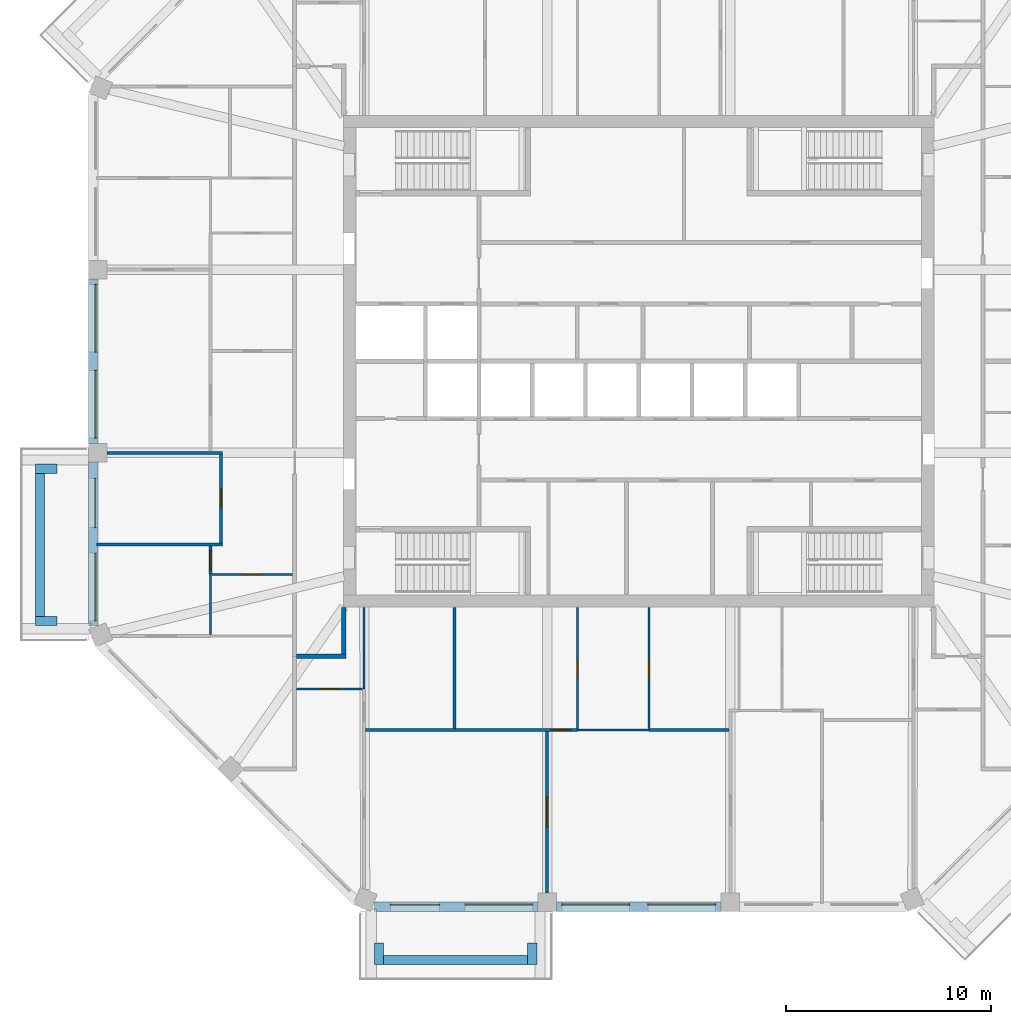
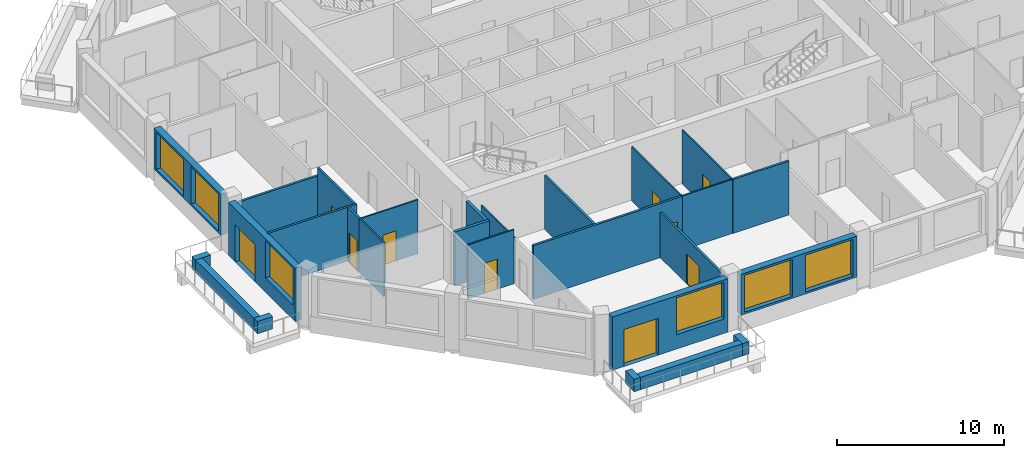
# One storey, part 3 of 11: 27 walls, 10 doors, 6 windows, 16 openings.
"""IFC4 building model written with IfcOpenShell, lengths in metres."""

from ifc_helpers import new_model, si_unit, direction, frame, frame_2d, origin, place, context, subcontext, project, spatial, rectangle, extrude, material, layer, layer_set, type_object, element, fill, save


model = new_model("IFC4")

# Units and contexts
model_context = context("Model", 3, precision=1e-05, world=origin(), true_north=direction((0.0, 1.0)))
body_context = subcontext(model_context, "Body", "Model", "MODEL_VIEW")
ifc_project = project(units=[si_unit("LENGTHUNIT", "METRE"), si_unit("AREAUNIT", "SQUARE_METRE"), si_unit("VOLUMEUNIT", "CUBIC_METRE"), si_unit("PLANEANGLEUNIT", "RADIAN"), si_unit("MASSUNIT", "GRAM", prefix="KILO")], contexts=[model_context])

# Site, building, storey
site_placement = place(None, origin())
site = spatial("IfcSite", under=ifc_project, at=site_placement, CompositionType="ELEMENT")
building_placement = place(site_placement, origin())
building = spatial("IfcBuilding", under=site, at=building_placement, Name="Msitu Wima Residences", CompositionType="ELEMENT")
storey_placement = place(building_placement, frame((0.0, 0.0, 264.300048828125)))
storey = spatial("IfcBuildingStorey", under=building, at=storey_placement, Name="L61", CompositionType="ELEMENT", Elevation=264.300048828125)

# Walls
ifc_material_1 = material(Name="Facing brick")
ifc_layer_1 = layer(ifc_material_1, 0.06494140625, Name="Facing brick")
ifc_material_2 = material(Name="Concrete C40/50", Category="concrete")
ifc_layer_2 = layer(ifc_material_2, 0.156005859375, Name="Concrete C40/50")
ifc_material_3 = material(Name="Waterproofing membrane")
ifc_layer_3 = layer(ifc_material_3, 0.00390625, Name="Waterproofing membrane")
ifc_material_4 = material(Name="Planting soil and planting")
ifc_layer_4 = layer(ifc_material_4, 0.22509765625, Name="Planting soil and planting")
ifc_layer_set_1 = layer_set([ifc_layer_1, ifc_layer_2, ifc_layer_3, ifc_layer_4], Name="Concrete C40/50")
wall_type_1 = type_object("IfcWallType", Name="Balcony planter PLANTER PL450", PredefinedType="USERDEFINED", material=ifc_layer_set_1)
wall_1_placement = place(storey_placement, frame((-29.22509765625, -5.468505859375, 0.0), z_axis=(0.0, 0.0, 1.0), x_axis=(0.0, -1.0, 0.0)))
element("IfcWall", 1, at=wall_1_placement, inside=storey, type_object=wall_type_1, Name="Balcony planter W2 L61", ObjectType="PLANTER", PredefinedType="USERDEFINED", context=body_context, shape_type="SweptSolid", body=[
    extrude(rectangle(XDim=6.9873046875, YDim=0.449951171875, at=frame_2d((3.49365234375, 0.0))), origin(), (0.0, 0.0, 1.0), 0.89990234375),
])
for number, where, z_axis, x_axis, name in (
    (2, (-28.39990234375, -5.24365234375, 0.0), (0.0, 0.0, 1.0), (-1.0, 0.0, 0.0), "Balcony planter W2 L61"),
    (3, (-28.39990234375, -12.680908203125, 0.0), (0.0, 0.0, 1.0), (-1.0, 0.0, 0.0), "Balcony planter W2 L61"),
):
    element("IfcWall", number, at=place(storey_placement, frame(where, z_axis=z_axis, x_axis=x_axis)), inside=storey, type_object=wall_type_1, Name=name, ObjectType="PLANTER", PredefinedType="USERDEFINED", context=body_context, shape_type="SweptSolid", body=[
        extrude(rectangle(XDim=1.050048828125, YDim=0.449951171875, at=frame_2d((0.52490234375, 0.0))), origin(), (0.0, 0.0, 1.0), 0.89990234375),
    ])
wall_2_placement = place(storey_placement, frame((-12.455810546875, -29.22509765625, 0.0), z_axis=(0.0, 0.0, 1.0), x_axis=(1.0, 0.0, 0.0)))
element("IfcWall", 4, at=wall_2_placement, inside=storey, type_object=wall_type_1, Name="Balcony planter S0 L61", ObjectType="PLANTER", PredefinedType="USERDEFINED", context=body_context, shape_type="SweptSolid", body=[
    extrude(rectangle(XDim=7.037109375, YDim=0.449951171875, at=frame_2d((3.5185546875, 0.0))), origin(), (0.0, 0.0, 1.0), 0.89990234375),
])
for number, where, z_axis, x_axis, name in (
    (5, (-12.680908203125, -28.39990234375, 0.0), (0.0, 0.0, 1.0), (0.0, -1.0, 0.0), "Balcony planter S0 L61"),
    (6, (-5.193603515625, -28.39990234375, 0.0), (0.0, 0.0, 1.0), (0.0, -1.0, 0.0), "Balcony planter S0 L61"),
):
    element("IfcWall", number, at=place(storey_placement, frame(where, z_axis=z_axis, x_axis=x_axis)), inside=storey, type_object=wall_type_1, Name=name, ObjectType="PLANTER", PredefinedType="USERDEFINED", context=body_context, shape_type="SweptSolid", body=[
        extrude(rectangle(XDim=1.050048828125, YDim=0.449951171875, at=frame_2d((0.52490234375, 0.0))), origin(), (0.0, 0.0, 1.0), 0.89990234375),
    ])

# Wall, openings, windows
ifc_material_5 = material(Name="Brick (red buff mix)", Category="masonry")
ifc_layer_5 = layer(ifc_material_5, 0.449951171875)
ifc_layer_set_2 = layer_set([ifc_layer_5], Name="Brick (red buff mix)")
wall_type_2 = type_object("IfcWallType", Name="Brick infill wall BW450", PredefinedType="SOLIDWALL", material=ifc_layer_set_2)
wall_3_placement = place(storey_placement, frame((-26.625, 4.0185546875, 0.89990234375), z_axis=(0.0, 0.0, 1.0), x_axis=(0.0, -1.0, 0.0)))
wall_3 = element("IfcWall", 7, at=wall_3_placement, inside=storey, type_object=wall_type_2, Name="Brick infill wall L61 W1", PredefinedType="SOLIDWALL", context=body_context, shape_type="SweptSolid", body=[
    extrude(rectangle(XDim=8.037109375, YDim=0.449951171875, at=frame_2d((4.0185546875, 0.0))), origin(), (0.0, 0.0, 1.0), 3.0),
])
opening_1_placement = place(wall_3_placement, frame((0.2685546875, 0.0, 0.14990234375)))
opening_1 = element("IfcOpeningElement", 8, at=opening_1_placement, cuts=wall_3, Name="Opening W60-62.031", PredefinedType="OPENING", context=body_context, shape_type="SweptSolid", body=[
    extrude(rectangle(XDim=3.300048828125, YDim=2.699951171875, at=frame_2d((1.64990234375, 1.35009765625))), frame((0.0, 0.23486328125, 0.0), z_axis=(0.0, -1.0, 0.0), x_axis=(1.0, 0.0, 0.0)), (0.0, 0.0, 1.0), 0.469970703125),
])
opening_2_placement = place(wall_3_placement, frame((4.46875, 0.0, 0.14990234375)))
opening_2 = element("IfcOpeningElement", 9, at=opening_2_placement, cuts=wall_3, Name="Opening W60-62.032", PredefinedType="OPENING", context=body_context, shape_type="SweptSolid", body=[
    extrude(rectangle(XDim=3.300048828125, YDim=2.699951171875, at=frame_2d((1.64990234375, 1.35009765625))), frame((0.0, 0.23486328125, 0.0), z_axis=(0.0, -1.0, 0.0), x_axis=(1.0, 0.0, 0.0)), (0.0, 0.0, 1.0), 0.469970703125),
])
ifc_material_6 = material(Name="Anodised aluminium, bronze finish, clear low-emissivity double glazing", Category="aluminium")
window_type = type_object("IfcWindowType", Name="Window W3300x2700", PartitioningType="DOUBLE_PANEL_VERTICAL", PredefinedType="WINDOW", material=ifc_material_6)
window_1_placement = place(opening_1_placement, origin())
window_1 = element("IfcWindow", 10, at=window_1_placement, inside=storey, type_object=window_type, Name="Window L61 W1.1", OverallHeight=2.699951171875, OverallWidth=3.300048828125, PartitioningType="SINGLE_PANEL", PredefinedType="WINDOW", context=body_context, shape_type="SweptSolid", body=[
    extrude(rectangle(XDim=3.300048828125, YDim=2.699951171875, at=frame_2d((1.64990234375, 1.35009765625))), frame((0.0, 0.135009765625, 0.0), z_axis=(0.0, -1.0, 0.0), x_axis=(1.0, 0.0, 0.0)), (0.0, 0.0, 1.0), 0.06005859375),
])
fill(opening_1, window_1)
window_2_placement = place(opening_2_placement, origin())
window_2 = element("IfcWindow", 11, at=window_2_placement, inside=storey, type_object=window_type, Name="Window L61 W1.2", OverallHeight=2.699951171875, OverallWidth=3.300048828125, PartitioningType="SINGLE_PANEL", PredefinedType="WINDOW", context=body_context, shape_type="SweptSolid", body=[
    extrude(rectangle(XDim=3.300048828125, YDim=2.699951171875, at=frame_2d((1.64990234375, 1.35009765625))), frame((0.0, 0.135009765625, 0.0), z_axis=(0.0, -1.0, 0.0), x_axis=(1.0, 0.0, 0.0)), (0.0, 0.0, 1.0), 0.06005859375),
])
fill(opening_2, window_2)

# Wall, openings, door, window
wall_4_placement = place(storey_placement, frame((-26.625, -4.918701171875, 0.0), z_axis=(0.0, 0.0, 1.0), x_axis=(0.0, -1.0, 0.0)))
wall_4 = element("IfcWall", 12, at=wall_4_placement, inside=storey, type_object=wall_type_2, Name="Brick infill wall L61 W2", PredefinedType="SOLIDWALL", context=body_context, shape_type="SweptSolid", body=[
    extrude(rectangle(XDim=8.0, YDim=0.449951171875, at=frame_2d((4.0, 0.0))), origin(), (0.0, 0.0, 1.0), 3.89990234375),
])
opening_3_placement = place(wall_4_placement, frame((0.800048828125, 0.0, 0.0)))
opening_3 = element("IfcOpeningElement", 13, at=opening_3_placement, cuts=wall_4, Name="Opening D60-62.007", PredefinedType="OPENING", context=body_context, shape_type="SweptSolid", body=[
    extrude(rectangle(XDim=2.39990234375, YDim=2.699951171875, at=frame_2d((1.199951171875, 1.35009765625))), frame((0.0, 0.23486328125, 0.0), z_axis=(0.0, -1.0, 0.0), x_axis=(1.0, 0.0, 0.0)), (0.0, 0.0, 1.0), 0.469970703125),
])
opening_4_placement = place(wall_4_placement, frame((4.4501953125, 0.0, 1.050048828125)))
opening_4 = element("IfcOpeningElement", 14, at=opening_4_placement, cuts=wall_4, Name="Opening W60-62.033", PredefinedType="OPENING", context=body_context, shape_type="SweptSolid", body=[
    extrude(rectangle(XDim=3.300048828125, YDim=2.699951171875, at=frame_2d((1.64990234375, 1.35009765625))), frame((0.0, 0.23486328125, 0.0), z_axis=(0.0, -1.0, 0.0), x_axis=(1.0, 0.0, 0.0)), (0.0, 0.0, 1.0), 0.469970703125),
])
door_type_1 = type_object("IfcDoorType", Name="Balcony door D2400x2700", OperationType="SLIDING_TO_LEFT", PredefinedType="DOOR", material=ifc_material_6)
door_1_placement = place(opening_3_placement, origin())
door_1 = element("IfcDoor", 15, at=door_1_placement, inside=storey, type_object=door_type_1, Name="Balcony door L61 W2", OperationType="SINGLE_SWING_LEFT", OverallHeight=2.699951171875, OverallWidth=2.39990234375, PredefinedType="DOOR", context=body_context, shape_type="SweptSolid", body=[
    extrude(rectangle(XDim=2.39990234375, YDim=2.699951171875, at=frame_2d((1.199951171875, 1.35009765625))), frame((0.0, 0.1298828125, 0.0), z_axis=(0.0, -1.0, 0.0), x_axis=(1.0, 0.0, 0.0)), (0.0, 0.0, 1.0), 0.050048828125),
])
fill(opening_3, door_1)
window_3_placement = place(opening_4_placement, origin())
window_3 = element("IfcWindow", 16, at=window_3_placement, inside=storey, type_object=window_type, Name="Window L61 W2.2", OverallHeight=2.699951171875, OverallWidth=3.300048828125, PartitioningType="SINGLE_PANEL", PredefinedType="WINDOW", context=body_context, shape_type="SweptSolid", body=[
    extrude(rectangle(XDim=3.300048828125, YDim=2.699951171875, at=frame_2d((1.64990234375, 1.35009765625))), frame((0.0, 0.135009765625, 0.0), z_axis=(0.0, -1.0, 0.0), x_axis=(1.0, 0.0, 0.0)), (0.0, 0.0, 1.0), 0.06005859375),
])
fill(opening_4, window_3)

wall_5_placement = place(storey_placement, frame((-12.918701171875, -26.625, 0.0), z_axis=(0.0, 0.0, 1.0), x_axis=(1.0, 0.0, 0.0)))
wall_5 = element("IfcWall", 17, at=wall_5_placement, inside=storey, type_object=wall_type_2, Name="Brick infill wall L61 S0", PredefinedType="SOLIDWALL", context=body_context, shape_type="SweptSolid", body=[
    extrude(rectangle(XDim=8.0, YDim=0.449951171875, at=frame_2d((4.0, 0.0))), origin(), (0.0, 0.0, 1.0), 3.89990234375),
])
opening_5_placement = place(wall_5_placement, frame((0.800048828125, 0.0, 0.0)))
opening_5 = element("IfcOpeningElement", 18, at=opening_5_placement, cuts=wall_5, Name="Opening D60-62.005", PredefinedType="OPENING", context=body_context, shape_type="SweptSolid", body=[
    extrude(rectangle(XDim=2.39990234375, YDim=2.699951171875, at=frame_2d((1.199951171875, 1.35009765625))), frame((0.0, 0.23486328125, 0.0), z_axis=(0.0, -1.0, 0.0), x_axis=(1.0, 0.0, 0.0)), (0.0, 0.0, 1.0), 0.469970703125),
])
opening_6_placement = place(wall_5_placement, frame((4.4501953125, 0.0, 1.050048828125)))
opening_6 = element("IfcOpeningElement", 19, at=opening_6_placement, cuts=wall_5, Name="Opening W60-62.017", PredefinedType="OPENING", context=body_context, shape_type="SweptSolid", body=[
    extrude(rectangle(XDim=3.300048828125, YDim=2.699951171875, at=frame_2d((1.64990234375, 1.35009765625))), frame((0.0, 0.23486328125, 0.0), z_axis=(0.0, -1.0, 0.0), x_axis=(1.0, 0.0, 0.0)), (0.0, 0.0, 1.0), 0.469970703125),
])
door_2_placement = place(opening_5_placement, origin())
door_2 = element("IfcDoor", 20, at=door_2_placement, inside=storey, type_object=door_type_1, Name="Balcony door L61 S0", OperationType="SINGLE_SWING_LEFT", OverallHeight=2.699951171875, OverallWidth=2.39990234375, PredefinedType="DOOR", context=body_context, shape_type="SweptSolid", body=[
    extrude(rectangle(XDim=2.39990234375, YDim=2.699951171875, at=frame_2d((1.199951171875, 1.35009765625))), frame((0.0, 0.1298828125, 0.0), z_axis=(0.0, -1.0, 0.0), x_axis=(1.0, 0.0, 0.0)), (0.0, 0.0, 1.0), 0.050048828125),
])
fill(opening_5, door_2)
window_4_placement = place(opening_6_placement, origin())
window_4 = element("IfcWindow", 21, at=window_4_placement, inside=storey, type_object=window_type, Name="Window L61 S0.2", OverallHeight=2.699951171875, OverallWidth=3.300048828125, PartitioningType="SINGLE_PANEL", PredefinedType="WINDOW", context=body_context, shape_type="SweptSolid", body=[
    extrude(rectangle(XDim=3.300048828125, YDim=2.699951171875, at=frame_2d((1.64990234375, 1.35009765625))), frame((0.0, 0.135009765625, 0.0), z_axis=(0.0, -1.0, 0.0), x_axis=(1.0, 0.0, 0.0)), (0.0, 0.0, 1.0), 0.06005859375),
])
fill(opening_6, window_4)

# Wall, openings, windows
wall_6_placement = place(storey_placement, frame((-4.0185546875, -26.625, 0.89990234375), z_axis=(0.0, 0.0, 1.0), x_axis=(1.0, 0.0, 0.0)))
wall_6 = element("IfcWall", 22, at=wall_6_placement, inside=storey, type_object=wall_type_2, Name="Brick infill wall L61 S1", PredefinedType="SOLIDWALL", context=body_context, shape_type="SweptSolid", body=[
    extrude(rectangle(XDim=8.037109375, YDim=0.449951171875, at=frame_2d((4.0185546875, 0.0))), origin(), (0.0, 0.0, 1.0), 3.0),
])
opening_7_placement = place(wall_6_placement, frame((0.2685546875, 0.0, 0.14990234375)))
opening_7 = element("IfcOpeningElement", 23, at=opening_7_placement, cuts=wall_6, Name="Opening W60-62.018", PredefinedType="OPENING", context=body_context, shape_type="SweptSolid", body=[
    extrude(rectangle(XDim=3.300048828125, YDim=2.699951171875, at=frame_2d((1.64990234375, 1.35009765625))), frame((0.0, 0.23486328125, 0.0), z_axis=(0.0, -1.0, 0.0), x_axis=(1.0, 0.0, 0.0)), (0.0, 0.0, 1.0), 0.469970703125),
])
opening_8_placement = place(wall_6_placement, frame((4.46875, 0.0, 0.14990234375)))
opening_8 = element("IfcOpeningElement", 24, at=opening_8_placement, cuts=wall_6, Name="Opening W60-62.019", PredefinedType="OPENING", context=body_context, shape_type="SweptSolid", body=[
    extrude(rectangle(XDim=3.300048828125, YDim=2.699951171875, at=frame_2d((1.64990234375, 1.35009765625))), frame((0.0, 0.23486328125, 0.0), z_axis=(0.0, -1.0, 0.0), x_axis=(1.0, 0.0, 0.0)), (0.0, 0.0, 1.0), 0.469970703125),
])
window_5_placement = place(opening_7_placement, origin())
window_5 = element("IfcWindow", 25, at=window_5_placement, inside=storey, type_object=window_type, Name="Window L61 S1.1", OverallHeight=2.699951171875, OverallWidth=3.300048828125, PartitioningType="SINGLE_PANEL", PredefinedType="WINDOW", context=body_context, shape_type="SweptSolid", body=[
    extrude(rectangle(XDim=3.300048828125, YDim=2.699951171875, at=frame_2d((1.64990234375, 1.35009765625))), frame((0.0, 0.135009765625, 0.0), z_axis=(0.0, -1.0, 0.0), x_axis=(1.0, 0.0, 0.0)), (0.0, 0.0, 1.0), 0.06005859375),
])
fill(opening_7, window_5)
window_6_placement = place(opening_8_placement, origin())
window_6 = element("IfcWindow", 26, at=window_6_placement, inside=storey, type_object=window_type, Name="Window L61 S1.2", OverallHeight=2.699951171875, OverallWidth=3.300048828125, PartitioningType="SINGLE_PANEL", PredefinedType="WINDOW", context=body_context, shape_type="SweptSolid", body=[
    extrude(rectangle(XDim=3.300048828125, YDim=2.699951171875, at=frame_2d((1.64990234375, 1.35009765625))), frame((0.0, 0.135009765625, 0.0), z_axis=(0.0, -1.0, 0.0), x_axis=(1.0, 0.0, 0.0)), (0.0, 0.0, 1.0), 0.06005859375),
])
fill(opening_8, window_6)

# Walls
ifc_material_7 = material(Name="Plaster")
ifc_layer_6 = layer(ifc_material_7, 0.011962890625, Name="Plaster")
ifc_material_8 = material(Name="Concrete blockwork", Category="masonry")
ifc_layer_7 = layer(ifc_material_8, 0.176025390625, Name="Concrete blockwork")
ifc_layer_8 = layer(ifc_material_7, 0.011962890625, Name="Plaster")
ifc_layer_set_3 = layer_set([ifc_layer_6, ifc_layer_7, ifc_layer_8], Name="Concrete blockwork")
wall_type_3 = type_object("IfcWallType", Name="Corridor wall FW200", PredefinedType="PARTITIONING", material=ifc_layer_set_3)
wall_7_placement = place(storey_placement, frame((-16.699951171875, -14.39990234375, 0.0), z_axis=(0.0, 0.0, 1.0), x_axis=(1.0, 0.0, 0.0)))
element("IfcWall", 27, at=wall_7_placement, inside=storey, type_object=wall_type_3, Name="Corridor wall", PredefinedType="PARTITIONING", context=body_context, shape_type="SweptSolid", body=[
    extrude(rectangle(XDim=2.39990234375, YDim=0.199951171875, at=frame_2d((1.199951171875, 0.0))), origin(), (0.0, 0.0, 1.0), 3.949951171875),
])
wall_8_placement = place(storey_placement, frame((-14.39990234375, -14.300048828125, 0.0), z_axis=(0.0, 0.0, 1.0), x_axis=(0.0, 1.0, 0.0)))
element("IfcWall", 28, at=wall_8_placement, inside=storey, type_object=wall_type_3, Name="Corridor wall", PredefinedType="PARTITIONING", context=body_context, shape_type="SweptSolid", body=[
    extrude(rectangle(XDim=2.27001953125, YDim=0.199951171875, at=frame_2d((1.135009765625, 0.0))), origin(), (0.0, 0.0, 1.0), 3.949951171875),
])
ifc_layer_9 = layer(ifc_material_7, 0.011962890625, Name="Plaster")
ifc_layer_10 = layer(ifc_material_8, 0.1259765625, Name="Concrete blockwork")
ifc_layer_11 = layer(ifc_material_7, 0.011962890625, Name="Plaster")
ifc_layer_set_4 = layer_set([ifc_layer_9, ifc_layer_10, ifc_layer_11], Name="Concrete blockwork")
wall_type_4 = type_object("IfcWallType", Name="Partition PW150", PredefinedType="PARTITIONING", material=ifc_layer_set_4)
wall_9_placement = place(storey_placement, frame((-26.455078125, -8.937255859375, 0.0), z_axis=(0.0, 0.0, 1.0), x_axis=(1.0, 0.0, 0.0)))
element("IfcWall", 29, at=wall_9_placement, inside=storey, type_object=wall_type_4, Name="Partition", PredefinedType="PARTITIONING", context=body_context, shape_type="SweptSolid", body=[
    extrude(rectangle(XDim=6.130126953125, YDim=0.14990234375, at=frame_2d((3.06494140625, 0.0))), origin(), (0.0, 0.0, 1.0), 3.949951171875),
])
wall_10_placement = place(storey_placement, frame((-25.949951171875, -4.46875, 0.0), z_axis=(0.0, 0.0, 1.0), x_axis=(1.0, 0.0, 0.0)))
element("IfcWall", 30, at=wall_10_placement, inside=storey, type_object=wall_type_4, Name="Partition", PredefinedType="PARTITIONING", context=body_context, shape_type="SweptSolid", body=[
    extrude(rectangle(XDim=5.625, YDim=0.14990234375, at=frame_2d((2.8125, 0.0))), origin(), (0.0, 0.0, 1.0), 3.349853515625),
])

# Wall, opening, door
wall_11_placement = place(storey_placement, frame((-20.89990234375, -10.3798828125, 0.0), z_axis=(0.0, 0.0, 1.0), x_axis=(0.0, 1.0, 0.0)))
wall_11 = element("IfcWall", 31, at=wall_11_placement, inside=storey, type_object=wall_type_4, Name="Partition", PredefinedType="PARTITIONING", context=body_context, shape_type="SweptSolid", body=[
    extrude(rectangle(XDim=1.36767578125, YDim=0.14990234375, at=frame_2d((0.683837890625, 0.0))), origin(), (0.0, 0.0, 1.0), 3.949951171875),
])
opening_9_placement = place(wall_11_placement, frame((0.199951171875, 0.0, 0.0)))
opening_9 = element("IfcOpeningElement", 32, at=opening_9_placement, cuts=wall_11, Name="Opening D60-62.046", PredefinedType="OPENING", context=body_context, shape_type="SweptSolid", body=[
    extrude(rectangle(XDim=0.949951171875, YDim=2.199951171875, at=frame_2d((0.47509765625, 1.10009765625))), frame((0.0, 0.0849609375, 0.0), z_axis=(0.0, -1.0, 0.0), x_axis=(1.0, 0.0, 0.0)), (0.0, 0.0, 1.0), 0.169921875),
])
ifc_material_9 = material(Name="Timber flush door", Category="wood")
door_type_2 = type_object("IfcDoorType", Name="Room door D12 950x2200", OperationType="SINGLE_SWING_LEFT", PredefinedType="DOOR", material=ifc_material_9)
door_3_placement = place(opening_9_placement, origin())
door_3 = element("IfcDoor", 33, at=door_3_placement, inside=storey, type_object=door_type_2, Name="Room door", OperationType="SINGLE_SWING_RIGHT", OverallHeight=2.199951171875, OverallWidth=0.949951171875, PredefinedType="DOOR", context=body_context, shape_type="SweptSolid", body=[
    extrude(rectangle(XDim=0.949951171875, YDim=2.199951171875, at=frame_2d((0.47509765625, 1.10009765625))), frame((0.0, 0.02490234375, 0.0), z_axis=(0.0, -1.0, 0.0), x_axis=(1.0, 0.0, 0.0)), (0.0, 0.0, 1.0), 0.050048828125),
])
fill(opening_9, door_3)

wall_12_placement = place(storey_placement, frame((-20.39990234375, -8.8623046875, 0.0), z_axis=(0.0, 0.0, 1.0), x_axis=(0.0, 1.0, 0.0)))
wall_12 = element("IfcWall", 34, at=wall_12_placement, inside=storey, type_object=wall_type_4, Name="Partition", PredefinedType="PARTITIONING", context=body_context, shape_type="SweptSolid", body=[
    extrude(rectangle(XDim=4.318603515625, YDim=0.14990234375, at=frame_2d((2.1591796875, 0.0))), origin(), (0.0, 0.0, 1.0), 3.949951171875),
])
opening_10_placement = place(wall_12_placement, frame((1.699951171875, 0.0, 0.0)))
opening_10 = element("IfcOpeningElement", 35, at=opening_10_placement, cuts=wall_12, Name="Opening D60-62.045", PredefinedType="OPENING", context=body_context, shape_type="SweptSolid", body=[
    extrude(rectangle(XDim=0.949951171875, YDim=2.199951171875, at=frame_2d((0.47509765625, 1.10009765625))), frame((0.0, 0.0849609375, 0.0), z_axis=(0.0, -1.0, 0.0), x_axis=(1.0, 0.0, 0.0)), (0.0, 0.0, 1.0), 0.169921875),
])
door_4_placement = place(opening_10_placement, origin())
door_4 = element("IfcDoor", 36, at=door_4_placement, inside=storey, type_object=door_type_2, Name="Room door", OperationType="SINGLE_SWING_RIGHT", OverallHeight=2.199951171875, OverallWidth=0.949951171875, PredefinedType="DOOR", context=body_context, shape_type="SweptSolid", body=[
    extrude(rectangle(XDim=0.949951171875, YDim=2.199951171875, at=frame_2d((0.47509765625, 1.10009765625))), frame((0.0, 0.02490234375, 0.0), z_axis=(0.0, -1.0, 0.0), x_axis=(1.0, 0.0, 0.0)), (0.0, 0.0, 1.0), 0.050048828125),
])
fill(opening_10, door_4)

wall_13_placement = place(storey_placement, frame((-13.330810546875, -18.0, 0.0), z_axis=(0.0, 0.0, 1.0), x_axis=(1.0, 0.0, 0.0)))
wall_13 = element("IfcWall", 37, at=wall_13_placement, inside=storey, type_object=wall_type_4, Name="Partition", PredefinedType="PARTITIONING", context=body_context, shape_type="SweptSolid", body=[
    extrude(rectangle(XDim=10.330810546875, YDim=0.14990234375, at=frame_2d((5.16552734375, 0.0))), origin(), (0.0, 0.0, 1.0), 3.949951171875),
])
opening_11_placement = place(wall_13_placement, frame((9.050048828125, 0.0, 0.0)))
opening_11 = element("IfcOpeningElement", 38, at=opening_11_placement, cuts=wall_13, Name="Opening D60-62.062", PredefinedType="OPENING", context=body_context, shape_type="SweptSolid", body=[
    extrude(rectangle(XDim=0.949951171875, YDim=2.199951171875, at=frame_2d((0.47509765625, 1.10009765625))), frame((0.0, 0.0849609375, 0.0), z_axis=(0.0, -1.0, 0.0), x_axis=(1.0, 0.0, 0.0)), (0.0, 0.0, 1.0), 0.169921875),
])
door_5_placement = place(opening_11_placement, origin())
door_5 = element("IfcDoor", 39, at=door_5_placement, inside=storey, type_object=door_type_2, Name="Room door", OperationType="SINGLE_SWING_RIGHT", OverallHeight=2.199951171875, OverallWidth=0.949951171875, PredefinedType="DOOR", context=body_context, shape_type="SweptSolid", body=[
    extrude(rectangle(XDim=0.949951171875, YDim=2.199951171875, at=frame_2d((0.47509765625, 1.10009765625))), frame((0.0, 0.02490234375, 0.0), z_axis=(0.0, -1.0, 0.0), x_axis=(1.0, 0.0, 0.0)), (0.0, 0.0, 1.0), 0.050048828125),
])
fill(opening_11, door_5)

# Wall
wall_14_placement = place(storey_placement, frame((-9.0, -17.925048828125, 0.0), z_axis=(0.0, 0.0, 1.0), x_axis=(0.0, 1.0, 0.0)))
element("IfcWall", 40, at=wall_14_placement, inside=storey, type_object=wall_type_4, Name="Partition", PredefinedType="PARTITIONING", context=body_context, shape_type="SweptSolid", body=[
    extrude(rectangle(XDim=5.89501953125, YDim=0.14990234375, at=frame_2d((2.947509765625, 0.0))), origin(), (0.0, 0.0, 1.0), 3.949951171875),
])

# Wall, opening, door
wall_15_placement = place(storey_placement, frame((-4.46875, -25.949951171875, 0.0), z_axis=(0.0, 0.0, 1.0), x_axis=(0.0, 1.0, 0.0)))
wall_15 = element("IfcWall", 41, at=wall_15_placement, inside=storey, type_object=wall_type_4, Name="Partition", PredefinedType="PARTITIONING", context=body_context, shape_type="SweptSolid", body=[
    extrude(rectangle(XDim=7.875, YDim=0.14990234375, at=frame_2d((3.9375, 0.0))), origin(), (0.0, 0.0, 1.0), 3.300048828125),
])
opening_12_placement = place(wall_15_placement, frame((3.199951171875, 0.0, 0.0)))
opening_12 = element("IfcOpeningElement", 42, at=opening_12_placement, cuts=wall_15, Name="Opening D60-62.053", PredefinedType="OPENING", context=body_context, shape_type="SweptSolid", body=[
    extrude(rectangle(XDim=1.5, YDim=2.199951171875, at=frame_2d((0.75, 1.10009765625))), frame((0.0, 0.0849609375, 0.0), z_axis=(0.0, -1.0, 0.0), x_axis=(1.0, 0.0, 0.0)), (0.0, 0.0, 1.0), 0.169921875),
])
ifc_material_10 = material(Name="Timber double door", Category="wood")
door_type_3 = type_object("IfcDoorType", Name="Double door D04 1500x2200", OperationType="DOUBLE_DOOR_SINGLE_SWING", PredefinedType="DOOR", material=ifc_material_10)
door_6_placement = place(opening_12_placement, origin())
door_6 = element("IfcDoor", 43, at=door_6_placement, inside=storey, type_object=door_type_3, Name="Double door", OperationType="DOUBLE_DOOR_SINGLE_SWING", OverallHeight=2.199951171875, OverallWidth=1.5, PredefinedType="DOOR", context=body_context, shape_type="SweptSolid", body=[
    extrude(rectangle(XDim=1.5, YDim=2.199951171875, at=frame_2d((0.75, 1.10009765625))), frame((0.0, 0.02490234375, 0.0), z_axis=(0.0, -1.0, 0.0), x_axis=(1.0, 0.0, 0.0)), (0.0, 0.0, 1.0), 0.050048828125),
])
fill(opening_12, door_6)

# Walls
wall_16_placement = place(storey_placement, frame((0.5, -18.0, 0.0), z_axis=(0.0, 0.0, 1.0), x_axis=(1.0, 0.0, 0.0)))
element("IfcWall", 44, at=wall_16_placement, inside=storey, type_object=wall_type_4, Name="Partition", PredefinedType="PARTITIONING", context=body_context, shape_type="SweptSolid", body=[
    extrude(rectangle(XDim=3.8935546875, YDim=0.14990234375, at=frame_2d((1.94677734375, 0.0))), origin(), (0.0, 0.0, 1.0), 3.949951171875),
])
ifc_material_11 = material(Name="Ceramic tiles")
ifc_layer_12 = layer(ifc_material_11, 0.008056640625, Name="Ceramic tiles")
ifc_material_12 = material(Name="Moisture-resistant board")
ifc_layer_13 = layer(ifc_material_12, 0.012451171875, Name="Moisture-resistant board")
ifc_material_13 = material(Name="Light-gauge stud framing with mineral wool")
ifc_layer_14 = layer(ifc_material_13, 0.06689453125, Name="Light-gauge stud framing with mineral wool")
ifc_layer_15 = layer(ifc_material_12, 0.012451171875, Name="Moisture-resistant board")
ifc_layer_set_5 = layer_set([ifc_layer_12, ifc_layer_13, ifc_layer_14, ifc_layer_15], Name="Light-gauge stud framing with mineral wool")
wall_type_5 = type_object("IfcWallType", Name="Wet wall PW100", PredefinedType="PARTITIONING", material=ifc_layer_set_5)
wall_17_placement = place(storey_placement, frame((-20.89990234375, -13.330810546875, 0.0), z_axis=(0.0, 0.0, 1.0), x_axis=(0.0, 1.0, 0.0)))
element("IfcWall", 45, at=wall_17_placement, inside=storey, type_object=wall_type_5, Name="Wet wall", PredefinedType="PARTITIONING", context=body_context, shape_type="SweptSolid", body=[
    extrude(rectangle(XDim=2.950927734375, YDim=0.10009765625, at=frame_2d((1.4755859375, 0.0))), origin(), (0.0, 0.0, 1.0), 3.949951171875),
])

# Wall, opening, door
wall_18_placement = place(storey_placement, frame((-20.824951171875, -10.39990234375, 0.0), z_axis=(0.0, 0.0, 1.0), x_axis=(1.0, 0.0, 0.0)))
wall_18 = element("IfcWall", 46, at=wall_18_placement, inside=storey, type_object=wall_type_5, Name="Wet wall", PredefinedType="PARTITIONING", context=body_context, shape_type="SweptSolid", body=[
    extrude(rectangle(XDim=3.925048828125, YDim=0.10009765625, at=frame_2d((1.96240234375, 0.0))), origin(), (0.0, 0.0, 1.0), 3.949951171875),
])
opening_13_placement = place(wall_18_placement, frame((1.5, 0.0, 0.0)))
opening_13 = element("IfcOpeningElement", 47, at=opening_13_placement, cuts=wall_18, Name="Opening D60-62.043", PredefinedType="OPENING", context=body_context, shape_type="SweptSolid", body=[
    extrude(rectangle(XDim=0.89990234375, YDim=2.199951171875, at=frame_2d((0.449951171875, 1.10009765625))), frame((0.0, 0.06005859375, 0.0), z_axis=(0.0, -1.0, 0.0), x_axis=(1.0, 0.0, 0.0)), (0.0, 0.0, 1.0), 0.1201171875),
])
ifc_material_14 = material(Name="Timber flush door, moisture resistant", Category="wood")
door_type_4 = type_object("IfcDoorType", Name="Bathroom door D03 900x2200", OperationType="SINGLE_SWING_LEFT", PredefinedType="DOOR", material=ifc_material_14)
door_7_placement = place(opening_13_placement, origin())
door_7 = element("IfcDoor", 48, at=door_7_placement, inside=storey, type_object=door_type_4, Name="Bathroom door", OperationType="SINGLE_SWING_RIGHT", OverallHeight=2.199951171875, OverallWidth=0.89990234375, PredefinedType="DOOR", context=body_context, shape_type="SweptSolid", body=[
    extrude(rectangle(XDim=0.89990234375, YDim=2.199951171875, at=frame_2d((0.449951171875, 1.10009765625))), frame((0.0, 0.02490234375, 0.0), z_axis=(0.0, -1.0, 0.0), x_axis=(1.0, 0.0, 0.0)), (0.0, 0.0, 1.0), 0.050048828125),
])
fill(opening_13, door_7)

wall_19_placement = place(storey_placement, frame((-16.699951171875, -16.0, 0.0), z_axis=(0.0, 0.0, 1.0), x_axis=(1.0, 0.0, 0.0)))
wall_19 = element("IfcWall", 49, at=wall_19_placement, inside=storey, type_object=wall_type_5, Name="Wet wall", PredefinedType="PARTITIONING", context=body_context, shape_type="SweptSolid", body=[
    extrude(rectangle(XDim=3.218994140625, YDim=0.10009765625, at=frame_2d((1.609375, 0.0))), origin(), (0.0, 0.0, 1.0), 3.949951171875),
])
opening_14_placement = place(wall_19_placement, frame((1.14990234375, 0.0, 0.0)))
opening_14 = element("IfcOpeningElement", 50, at=opening_14_placement, cuts=wall_19, Name="Opening D60-62.056", PredefinedType="OPENING", context=body_context, shape_type="SweptSolid", body=[
    extrude(rectangle(XDim=0.89990234375, YDim=2.199951171875, at=frame_2d((0.449951171875, 1.10009765625))), frame((0.0, 0.06005859375, 0.0), z_axis=(0.0, -1.0, 0.0), x_axis=(1.0, 0.0, 0.0)), (0.0, 0.0, 1.0), 0.1201171875),
])
door_8_placement = place(opening_14_placement, origin())
door_8 = element("IfcDoor", 51, at=door_8_placement, inside=storey, type_object=door_type_4, Name="Bathroom door", OperationType="SINGLE_SWING_LEFT", OverallHeight=2.199951171875, OverallWidth=0.89990234375, PredefinedType="DOOR", context=body_context, shape_type="SweptSolid", body=[
    extrude(rectangle(XDim=0.89990234375, YDim=2.199951171875, at=frame_2d((0.449951171875, 1.10009765625))), frame((0.0, 0.02490234375, 0.0), z_axis=(0.0, -1.0, 0.0), x_axis=(1.0, 0.0, 0.0)), (0.0, 0.0, 1.0), 0.050048828125),
])
fill(opening_14, door_8)

# Walls
wall_20_placement = place(storey_placement, frame((-13.406005859375, -16.0, 0.0), z_axis=(0.0, 0.0, 1.0), x_axis=(0.0, 1.0, 0.0)))
element("IfcWall", 52, at=wall_20_placement, inside=storey, type_object=wall_type_5, Name="Wet wall", PredefinedType="PARTITIONING", context=body_context, shape_type="SweptSolid", body=[
    extrude(rectangle(XDim=3.969970703125, YDim=0.10009765625, at=frame_2d((1.98486328125, 0.0))), origin(), (0.0, 0.0, 1.0), 3.300048828125),
])
wall_21_placement = place(storey_placement, frame((-3.0, -18.0, 0.0), z_axis=(0.0, 0.0, 1.0), x_axis=(1.0, 0.0, 0.0)))
element("IfcWall", 53, at=wall_21_placement, inside=storey, type_object=wall_type_5, Name="Wet wall", PredefinedType="PARTITIONING", context=body_context, shape_type="SweptSolid", body=[
    extrude(rectangle(XDim=3.5, YDim=0.10009765625, at=frame_2d((1.75, 0.0))), origin(), (0.0, 0.0, 1.0), 3.949951171875),
])

# Wall, opening, door
wall_22_placement = place(storey_placement, frame((-3.0, -17.949951171875, 0.0), z_axis=(0.0, 0.0, 1.0), x_axis=(0.0, 1.0, 0.0)))
wall_22 = element("IfcWall", 54, at=wall_22_placement, inside=storey, type_object=wall_type_5, Name="Wet wall", PredefinedType="PARTITIONING", context=body_context, shape_type="SweptSolid", body=[
    extrude(rectangle(XDim=5.919921875, YDim=0.10009765625, at=frame_2d((2.9599609375, 0.0))), origin(), (0.0, 0.0, 1.0), 3.949951171875),
])
opening_15_placement = place(wall_22_placement, frame((2.5, 0.0, 0.0)))
opening_15 = element("IfcOpeningElement", 55, at=opening_15_placement, cuts=wall_22, Name="Opening D60-62.063", PredefinedType="OPENING", context=body_context, shape_type="SweptSolid", body=[
    extrude(rectangle(XDim=0.89990234375, YDim=2.199951171875, at=frame_2d((0.449951171875, 1.10009765625))), frame((0.0, 0.06005859375, 0.0), z_axis=(0.0, -1.0, 0.0), x_axis=(1.0, 0.0, 0.0)), (0.0, 0.0, 1.0), 0.1201171875),
])
door_type_5 = type_object("IfcDoorType", Name="Service door D05 900x2200", OperationType="SINGLE_SWING_LEFT", PredefinedType="DOOR", material=ifc_material_9)
door_9_placement = place(opening_15_placement, origin())
door_9 = element("IfcDoor", 56, at=door_9_placement, inside=storey, type_object=door_type_5, Name="Service door", OperationType="SINGLE_SWING_LEFT", OverallHeight=2.199951171875, OverallWidth=0.89990234375, PredefinedType="DOOR", context=body_context, shape_type="SweptSolid", body=[
    extrude(rectangle(XDim=0.89990234375, YDim=2.199951171875, at=frame_2d((0.449951171875, 1.10009765625))), frame((0.0, 0.02490234375, 0.0), z_axis=(0.0, -1.0, 0.0), x_axis=(1.0, 0.0, 0.0)), (0.0, 0.0, 1.0), 0.050048828125),
])
fill(opening_15, door_9)

wall_23_placement = place(storey_placement, frame((0.5, -17.925048828125, 0.0), z_axis=(0.0, 0.0, 1.0), x_axis=(0.0, 1.0, 0.0)))
wall_23 = element("IfcWall", 57, at=wall_23_placement, inside=storey, type_object=wall_type_5, Name="Wet wall", PredefinedType="PARTITIONING", context=body_context, shape_type="SweptSolid", body=[
    extrude(rectangle(XDim=5.89501953125, YDim=0.10009765625, at=frame_2d((2.947509765625, 0.0))), origin(), (0.0, 0.0, 1.0), 3.949951171875),
])
opening_16_placement = place(wall_23_placement, frame((2.5, 0.0, 0.0)))
opening_16 = element("IfcOpeningElement", 58, at=opening_16_placement, cuts=wall_23, Name="Opening D60-62.064", PredefinedType="OPENING", context=body_context, shape_type="SweptSolid", body=[
    extrude(rectangle(XDim=0.89990234375, YDim=2.199951171875, at=frame_2d((0.449951171875, 1.10009765625))), frame((0.0, 0.06005859375, 0.0), z_axis=(0.0, -1.0, 0.0), x_axis=(1.0, 0.0, 0.0)), (0.0, 0.0, 1.0), 0.1201171875),
])
door_10_placement = place(opening_16_placement, origin())
door_10 = element("IfcDoor", 59, at=door_10_placement, inside=storey, type_object=door_type_5, Name="Service door", OperationType="SINGLE_SWING_RIGHT", OverallHeight=2.199951171875, OverallWidth=0.89990234375, PredefinedType="DOOR", context=body_context, shape_type="SweptSolid", body=[
    extrude(rectangle(XDim=0.89990234375, YDim=2.199951171875, at=frame_2d((0.449951171875, 1.10009765625))), frame((0.0, 0.02490234375, 0.0), z_axis=(0.0, -1.0, 0.0), x_axis=(1.0, 0.0, 0.0)), (0.0, 0.0, 1.0), 0.050048828125),
])
fill(opening_16, door_10)

save(model, "model.ifc")
